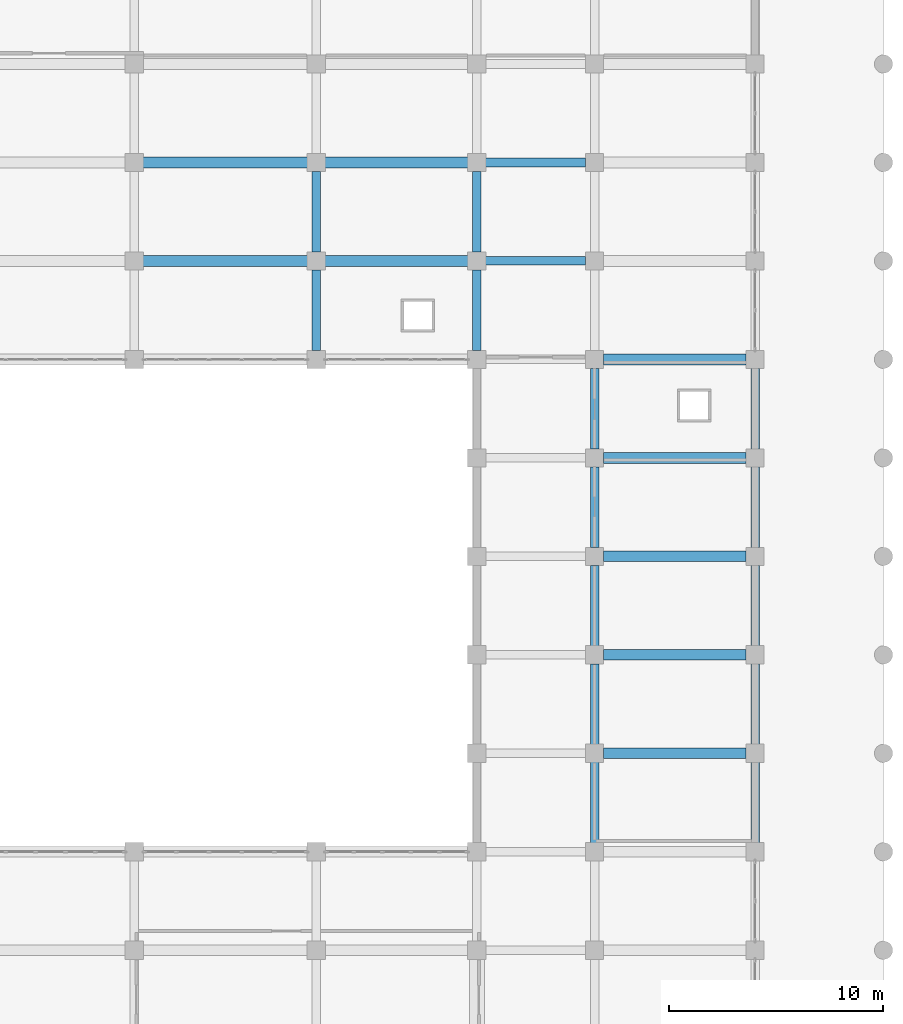
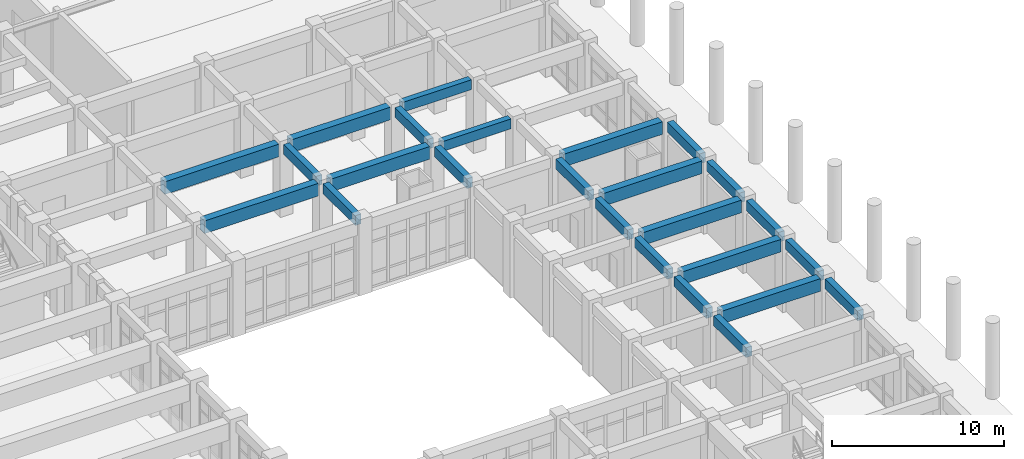
# One storey, part 46 of 84: 25 beams.
"""IFC4 building model written with IfcOpenShell, lengths in metres."""

from ifc_helpers import new_model, si_unit, direction, frame, origin, origin_2d, place, context, subcontext, project, spatial, rectangle, extrude, material, material_profile, profile_set, type_object, element, save


model = new_model("IFC4")

# Units and contexts
model_context = context("Model", 3, precision=1e-05, world=origin(), true_north=direction((0.0, 1.0)))
body_context = subcontext(model_context, "Body", "Model", "MODEL_VIEW")
ifc_project = project(units=[si_unit("LENGTHUNIT", "METRE"), si_unit("AREAUNIT", "SQUARE_METRE"), si_unit("VOLUMEUNIT", "CUBIC_METRE"), si_unit("PLANEANGLEUNIT", "RADIAN"), si_unit("MASSUNIT", "GRAM", prefix="KILO")], contexts=[model_context])

# Site, building, storey
site_placement = place(None, origin())
site = spatial("IfcSite", under=ifc_project, at=site_placement, CompositionType="ELEMENT")
building_placement = place(site_placement, origin())
building = spatial("IfcBuilding", under=site, at=building_placement, Name="Muzn Square Opera House", CompositionType="ELEMENT")
storey_placement = place(building_placement, origin())
storey = spatial("IfcBuildingStorey", under=building, at=storey_placement, Name="L00", CompositionType="ELEMENT", Elevation=0.0)

# Beams
ifc_material = material(Name="Concrete C40/50", Category="concrete")
ifc_material_profile_1 = material_profile(ifc_material, rectangle(XDim=0.39990234375, YDim=0.699951171875, at=origin_2d()), Name="RCB 400x700", Category="concrete")
ifc_profile_set_1 = profile_set([ifc_material_profile_1], Name="Concrete C40/50")
beam_type_1 = type_object("IfcBeamType", Name="Primary Girder 400x700", PredefinedType="BEAM", material=ifc_profile_set_1)
for number, where, z_axis, x_axis, name in (
    (1, (157.4169921875, 58.800048828125, 4.77001953125), (1.0, 0.0, 0.0), (0.0, 1.0, 0.0), "Primary Girder BM-L00-BM-PG700-1574_588_1621_588-861"),
    (2, (157.4169921875, 63.39990234375, 4.77001953125), (1.0, 0.0, 0.0), (0.0, 1.0, 0.0), "Primary Girder BM-L00-BM-PG700-1574_634_1621_634-877"),
):
    element("IfcBeam", number, at=place(storey_placement, frame(where, z_axis=z_axis, x_axis=x_axis)), inside=storey, type_object=beam_type_1, Name=name, PredefinedType="BEAM", context=body_context, shape_type="SweptSolid", body=[
        extrude(rectangle(XDim=0.39990234375, YDim=0.699951171875, at=origin_2d()), origin(), (0.0, 0.0, 1.0), 4.666015625),
    ])
beam_1_placement = place(storey_placement, frame((149.5, 54.616943359375, 4.77001953125), z_axis=(0.0, 1.0, 0.0), x_axis=(-1.0, 0.0, 0.0)))
element("IfcBeam", 3, at=beam_1_placement, inside=storey, type_object=beam_type_1, Name="Primary Girder BM-L00-BM-PG700-1495_546_1495_584-1135", PredefinedType="BEAM", context=body_context, shape_type="SweptSolid", body=[
    extrude(rectangle(XDim=0.39990234375, YDim=0.699951171875, at=origin_2d()), origin(), (0.0, 0.0, 1.0), 3.76611328125),
])
beam_2_placement = place(storey_placement, frame((149.5, 59.217041015625, 4.77001953125), z_axis=(0.0, 1.0, 0.0), x_axis=(-1.0, 0.0, 0.0)))
element("IfcBeam", 4, at=beam_2_placement, inside=storey, type_object=beam_type_1, Name="Primary Girder BM-L00-BM-PG700-1495_592_1495_630-1136", PredefinedType="BEAM", context=body_context, shape_type="SweptSolid", body=[
    extrude(rectangle(XDim=0.39990234375, YDim=0.699951171875, at=origin_2d()), origin(), (0.0, 0.0, 1.0), 3.765869140625),
])
beam_3_placement = place(storey_placement, frame((157.0, 54.616943359375, 4.77001953125), z_axis=(0.0, 1.0, 0.0), x_axis=(-1.0, 0.0, 0.0)))
element("IfcBeam", 5, at=beam_3_placement, inside=storey, type_object=beam_type_1, Name="Primary Girder BM-L00-BM-PG700-1570_546_1570_584-1147", PredefinedType="BEAM", context=body_context, shape_type="SweptSolid", body=[
    extrude(rectangle(XDim=0.39990234375, YDim=0.699951171875, at=origin_2d()), origin(), (0.0, 0.0, 1.0), 3.76611328125),
])
beam_4_placement = place(storey_placement, frame((157.0, 59.217041015625, 4.77001953125), z_axis=(0.0, 1.0, 0.0), x_axis=(-1.0, 0.0, 0.0)))
element("IfcBeam", 6, at=beam_4_placement, inside=storey, type_object=beam_type_1, Name="Primary Girder BM-L00-BM-PG700-1570_592_1570_630-1148", PredefinedType="BEAM", context=body_context, shape_type="SweptSolid", body=[
    extrude(rectangle(XDim=0.39990234375, YDim=0.699951171875, at=origin_2d()), origin(), (0.0, 0.0, 1.0), 3.765869140625),
])
beam_5_placement = place(storey_placement, frame((162.5, 31.616943359375, 4.77001953125), z_axis=(0.0, 1.0, 0.0), x_axis=(-1.0, 0.0, 0.0)))
element("IfcBeam", 7, at=beam_5_placement, inside=storey, type_object=beam_type_1, Name="Primary Girder BM-L00-BM-PG700-1625_316_1625_354-1156", PredefinedType="BEAM", context=body_context, shape_type="SweptSolid", body=[
    extrude(rectangle(XDim=0.39990234375, YDim=0.699951171875, at=origin_2d()), origin(), (0.0, 0.0, 1.0), 3.76611328125),
])
beam_6_placement = place(storey_placement, frame((162.5, 36.217041015625, 4.77001953125), z_axis=(0.0, 1.0, 0.0), x_axis=(-1.0, 0.0, 0.0)))
element("IfcBeam", 8, at=beam_6_placement, inside=storey, type_object=beam_type_1, Name="Primary Girder BM-L00-BM-PG700-1625_362_1625_400-1157", PredefinedType="BEAM", context=body_context, shape_type="SweptSolid", body=[
    extrude(rectangle(XDim=0.39990234375, YDim=0.699951171875, at=origin_2d()), origin(), (0.0, 0.0, 1.0), 3.765869140625),
])
for number, where, z_axis, x_axis, name in (
    (9, (162.5, 40.81689453125, 4.77001953125), (0.0, 1.0, 0.0), (-1.0, 0.0, 0.0), "Primary Girder BM-L00-BM-PG700-1625_408_1625_446-1158"),
    (10, (162.5, 45.4169921875, 4.77001953125), (0.0, 1.0, 0.0), (-1.0, 0.0, 0.0), "Primary Girder BM-L00-BM-PG700-1625_454_1625_492-1159"),
):
    element("IfcBeam", number, at=place(storey_placement, frame(where, z_axis=z_axis, x_axis=x_axis)), inside=storey, type_object=beam_type_1, Name=name, PredefinedType="BEAM", context=body_context, shape_type="SweptSolid", body=[
        extrude(rectangle(XDim=0.39990234375, YDim=0.699951171875, at=origin_2d()), origin(), (0.0, 0.0, 1.0), 3.76611328125),
    ])
beam_7_placement = place(storey_placement, frame((162.5, 50.01708984375, 4.77001953125), z_axis=(0.0, 1.0, 0.0), x_axis=(-1.0, 0.0, 0.0)))
element("IfcBeam", 11, at=beam_7_placement, inside=storey, type_object=beam_type_1, Name="Primary Girder BM-L00-BM-PG700-1625_500_1625_538-1160", PredefinedType="BEAM", context=body_context, shape_type="SweptSolid", body=[
    extrude(rectangle(XDim=0.39990234375, YDim=0.699951171875, at=origin_2d()), origin(), (0.0, 0.0, 1.0), 3.765869140625),
])
beam_8_placement = place(storey_placement, frame((170.0, 31.616943359375, 4.77001953125), z_axis=(0.0, 1.0, 0.0), x_axis=(-1.0, 0.0, 0.0)))
element("IfcBeam", 12, at=beam_8_placement, inside=storey, type_object=beam_type_1, Name="Primary Girder BM-L00-BM-PG700-1700_316_1700_354-1170", PredefinedType="BEAM", context=body_context, shape_type="SweptSolid", body=[
    extrude(rectangle(XDim=0.39990234375, YDim=0.699951171875, at=origin_2d()), origin(), (0.0, 0.0, 1.0), 3.76611328125),
])
beam_9_placement = place(storey_placement, frame((170.0, 36.217041015625, 4.77001953125), z_axis=(0.0, 1.0, 0.0), x_axis=(-1.0, 0.0, 0.0)))
element("IfcBeam", 13, at=beam_9_placement, inside=storey, type_object=beam_type_1, Name="Primary Girder BM-L00-BM-PG700-1700_362_1700_400-1171", PredefinedType="BEAM", context=body_context, shape_type="SweptSolid", body=[
    extrude(rectangle(XDim=0.39990234375, YDim=0.699951171875, at=origin_2d()), origin(), (0.0, 0.0, 1.0), 3.765869140625),
])
for number, where, z_axis, x_axis, name in (
    (14, (170.0, 40.81689453125, 4.77001953125), (0.0, 1.0, 0.0), (-1.0, 0.0, 0.0), "Primary Girder BM-L00-BM-PG700-1700_408_1700_446-1172"),
    (15, (170.0, 45.4169921875, 4.77001953125), (0.0, 1.0, 0.0), (-1.0, 0.0, 0.0), "Primary Girder BM-L00-BM-PG700-1700_454_1700_492-1173"),
):
    element("IfcBeam", number, at=place(storey_placement, frame(where, z_axis=z_axis, x_axis=x_axis)), inside=storey, type_object=beam_type_1, Name=name, PredefinedType="BEAM", context=body_context, shape_type="SweptSolid", body=[
        extrude(rectangle(XDim=0.39990234375, YDim=0.699951171875, at=origin_2d()), origin(), (0.0, 0.0, 1.0), 3.76611328125),
    ])
beam_10_placement = place(storey_placement, frame((170.0, 50.01708984375, 4.77001953125), z_axis=(0.0, 1.0, 0.0), x_axis=(-1.0, 0.0, 0.0)))
element("IfcBeam", 16, at=beam_10_placement, inside=storey, type_object=beam_type_1, Name="Primary Girder BM-L00-BM-PG700-1700_500_1700_538-1174", PredefinedType="BEAM", context=body_context, shape_type="SweptSolid", body=[
    extrude(rectangle(XDim=0.39990234375, YDim=0.699951171875, at=origin_2d()), origin(), (0.0, 0.0, 1.0), 3.765869140625),
])
ifc_material_profile_2 = material_profile(ifc_material, rectangle(XDim=0.5, YDim=0.89990234375, at=origin_2d()), Name="RCB 500x900", Category="concrete")
ifc_profile_set_2 = profile_set([ifc_material_profile_2], Name="Concrete C40/50")
beam_type_2 = type_object("IfcBeamType", Name="Primary Girder 500x900", PredefinedType="BEAM", material=ifc_profile_set_2)
for number, where, z_axis, x_axis, name in (
    (17, (162.9169921875, 35.800048828125, 4.669921875), (1.0, 0.0, 0.0), (0.0, 1.0, 0.0), "Primary Girder BM-L00-BM-PG900-1629_358_1696_358-820"),
    (18, (162.9169921875, 40.39990234375, 4.669921875), (1.0, 0.0, 0.0), (0.0, 1.0, 0.0), "Primary Girder BM-L00-BM-PG900-1629_404_1696_404-826"),
    (19, (162.9169921875, 45.0, 4.669921875), (1.0, 0.0, 0.0), (0.0, 1.0, 0.0), "Primary Girder BM-L00-BM-PG900-1629_450_1696_450-832"),
    (20, (162.9169921875, 49.60009765625, 4.669921875), (1.0, 0.0, 0.0), (0.0, 1.0, 0.0), "Primary Girder BM-L00-BM-PG900-1629_496_1696_496-838"),
    (21, (162.9169921875, 54.199951171875, 4.669921875), (1.0, 0.0, 0.0), (0.0, 1.0, 0.0), "Primary Girder BM-L00-BM-PG900-1629_542_1696_542-850"),
):
    element("IfcBeam", number, at=place(storey_placement, frame(where, z_axis=z_axis, x_axis=x_axis)), inside=storey, type_object=beam_type_2, Name=name, PredefinedType="BEAM", context=body_context, shape_type="SweptSolid", body=[
        extrude(rectangle(XDim=0.5, YDim=0.89990234375, at=origin_2d()), origin(), (0.0, 0.0, 1.0), 6.666015625),
    ])
beam_11_placement = place(storey_placement, frame((141.4169921875, 58.800048828125, 4.669921875), z_axis=(1.0, 0.0, 0.0), x_axis=(0.0, 1.0, 0.0)))
element("IfcBeam", 22, at=beam_11_placement, inside=storey, type_object=beam_type_2, Name="Primary Girder BM-L00-BM-PG900-1414_588_1491_588-859", PredefinedType="BEAM", context=body_context, shape_type="SweptSolid", body=[
    extrude(rectangle(XDim=0.5, YDim=0.89990234375, at=origin_2d()), origin(), (0.0, 0.0, 1.0), 7.666015625),
])
beam_12_placement = place(storey_placement, frame((149.9169921875, 58.800048828125, 4.669921875), z_axis=(1.0, 0.0, 0.0), x_axis=(0.0, 1.0, 0.0)))
element("IfcBeam", 23, at=beam_12_placement, inside=storey, type_object=beam_type_2, Name="Primary Girder BM-L00-BM-PG900-1499_588_1566_588-860", PredefinedType="BEAM", context=body_context, shape_type="SweptSolid", body=[
    extrude(rectangle(XDim=0.5, YDim=0.89990234375, at=origin_2d()), origin(), (0.0, 0.0, 1.0), 6.666015625),
])
beam_13_placement = place(storey_placement, frame((141.4169921875, 63.39990234375, 4.669921875), z_axis=(1.0, 0.0, 0.0), x_axis=(0.0, 1.0, 0.0)))
element("IfcBeam", 24, at=beam_13_placement, inside=storey, type_object=beam_type_2, Name="Primary Girder BM-L00-BM-PG900-1414_634_1491_634-875", PredefinedType="BEAM", context=body_context, shape_type="SweptSolid", body=[
    extrude(rectangle(XDim=0.5, YDim=0.89990234375, at=origin_2d()), origin(), (0.0, 0.0, 1.0), 7.666015625),
])
beam_14_placement = place(storey_placement, frame((149.9169921875, 63.39990234375, 4.669921875), z_axis=(1.0, 0.0, 0.0), x_axis=(0.0, 1.0, 0.0)))
element("IfcBeam", 25, at=beam_14_placement, inside=storey, type_object=beam_type_2, Name="Primary Girder BM-L00-BM-PG900-1499_634_1566_634-876", PredefinedType="BEAM", context=body_context, shape_type="SweptSolid", body=[
    extrude(rectangle(XDim=0.5, YDim=0.89990234375, at=origin_2d()), origin(), (0.0, 0.0, 1.0), 6.666015625),
])

save(model, "model.ifc")
